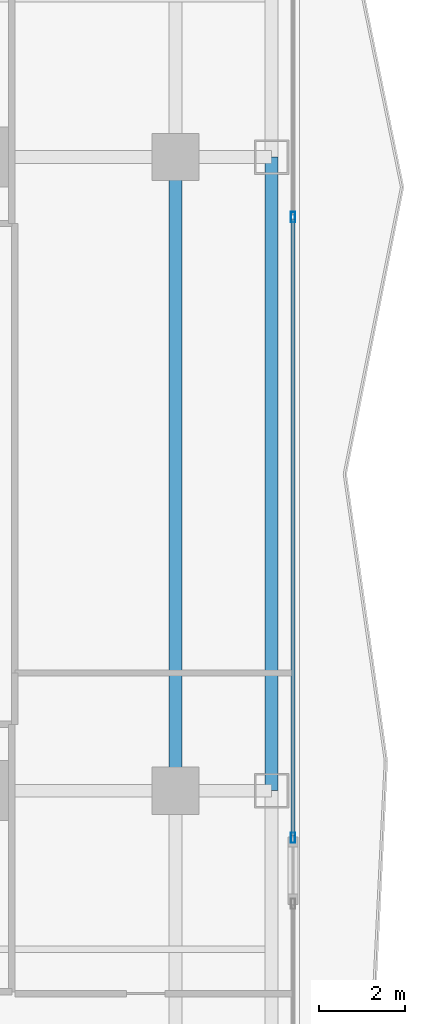
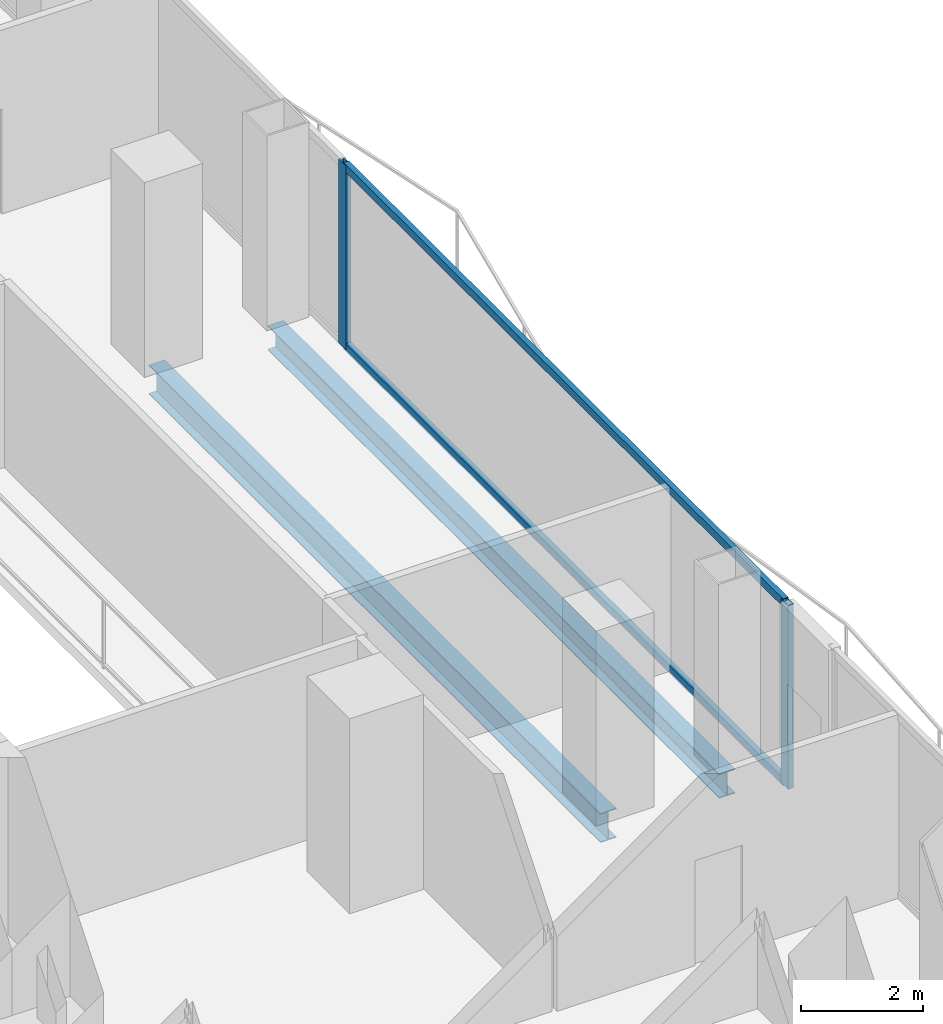
# One storey, part 12 of 33: 4 members, 2 beams, 1 element without a shape of its own.
"""IFC4 building model written with IfcOpenShell, lengths in metres."""

from ifc_helpers import new_model, si_unit, direction, frame, origin, origin_2d, place, context, subcontext, project, spatial, hollow_rectangle, i_section, extrude, material, layer, layer_set, material_profile, profile_set, type_object, element, aggregate, save


model = new_model("IFC4")

# Units and contexts
model_context = context("Model", 3, precision=1e-05, world=origin(), true_north=direction((0.0, 1.0)))
body_context = subcontext(model_context, "Body", "Model", "MODEL_VIEW")
ifc_project = project(units=[si_unit("LENGTHUNIT", "METRE"), si_unit("AREAUNIT", "SQUARE_METRE"), si_unit("VOLUMEUNIT", "CUBIC_METRE"), si_unit("PLANEANGLEUNIT", "RADIAN"), si_unit("MASSUNIT", "GRAM", prefix="KILO")], contexts=[model_context])

# Site, building, storey
site_placement = place(None, origin())
site = spatial("IfcSite", under=ifc_project, at=site_placement, CompositionType="ELEMENT")
building_placement = place(site_placement, origin())
building = spatial("IfcBuilding", under=site, at=building_placement, Name="Khorvyn Point Tower", CompositionType="ELEMENT")
storey_placement = place(building_placement, frame((0.0, 0.0, 65.699951171875)))
storey = spatial("IfcBuildingStorey", under=building, at=storey_placement, Name="L17", CompositionType="ELEMENT", Elevation=65.699951171875)

# Curtain wall, members
ifc_material_1 = material(Name="Anodised aluminium 6063-T6 and laminated Low-E glass", Category="aluminium")
ifc_layer = layer(ifc_material_1, 0.18994140625)
ifc_layer_set = layer_set([ifc_layer], Name="Stick-Built Finned Residential Curtain Wall CW-SYS-02")
curtain_wall_type = type_object("IfcCurtainWallType", Name="Stick-Built Finned Residential Curtain Wall CW-SYS-02", PredefinedType="NOTDEFINED", material=ifc_layer_set)
curtain_wall_placement = place(storey_placement, origin())
curtain_wall = element("IfcCurtainWall", 1, at=curtain_wall_placement, inside=storey, type_object=curtain_wall_type, Name="Curtain Wall", PredefinedType="NOTDEFINED")
ifc_material_2 = material(Name="Anodised aluminium 6063-T6", Category="aluminium")
ifc_material_profile_1 = material_profile(ifc_material_2, hollow_rectangle(XDim=0.10009765625, YDim=0.239990234375, WallThickness=0.0048828125, at=origin_2d()))
ifc_profile_set_1 = profile_set([ifc_material_profile_1], Name="Anodised aluminium 6063-T6 ALU-MUL-100x240")
member_type_1 = type_object("IfcMemberType", Name="Anodised Aluminium 6063-T6 Mullion ALU-MUL-100x240", PredefinedType="MULLION", material=ifc_profile_set_1)
member_1_placement = place(storey_placement, frame((22.14990234375, 6.0009765625, 0.0), z_axis=(0.0, 0.0, 1.0), x_axis=(1.0, 0.0, 0.0)))
member_1 = element("IfcMember", 2, at=member_1_placement, type_object=member_type_1, Name="Transom", PredefinedType="MULLION", context=body_context, shape_type="SweptSolid", body=[
    extrude(hollow_rectangle(XDim=0.10009765625, YDim=0.239990234375, WallThickness=0.0048828125, at=origin_2d()), origin(), (0.0, 0.0, 1.0), 3.679931640625),
])
member_2_placement = place(storey_placement, frame((22.14990234375, -8.498046875, 0.0), z_axis=(0.0, 0.0, 1.0), x_axis=(1.0, 0.0, 0.0)))
member_2 = element("IfcMember", 3, at=member_2_placement, type_object=member_type_1, Name="Transom", PredefinedType="MULLION", context=body_context, shape_type="SweptSolid", body=[
    extrude(hollow_rectangle(XDim=0.10009765625, YDim=0.239990234375, WallThickness=0.0048828125, at=origin_2d()), origin(), (0.0, 0.0, 1.0), 3.679931640625),
])
ifc_material_profile_2 = material_profile(ifc_material_2, hollow_rectangle(XDim=0.10009765625, YDim=0.159912109375, WallThickness=0.00439453125, at=origin_2d()))
ifc_profile_set_2 = profile_set([ifc_material_profile_2], Name="Anodised aluminium 6063-T6 ALU-TRN-100x160")
member_type_2 = type_object("IfcMemberType", Name="Anodised Aluminium 6063-T6 Transom ALU-TRN-100x160", PredefinedType="USERDEFINED", material=ifc_profile_set_2)
member_3_placement = place(storey_placement, frame((22.14990234375, 5.950927734375, 0.050048828125), z_axis=(0.0, -1.0, 0.0), x_axis=(1.0, 0.0, 0.0)))
member_3 = element("IfcMember", 4, at=member_3_placement, type_object=member_type_2, Name="Transom", ObjectType="TRANSOM", PredefinedType="USERDEFINED", context=body_context, shape_type="SweptSolid", body=[
    extrude(hollow_rectangle(XDim=0.10009765625, YDim=0.159912109375, WallThickness=0.00439453125, at=origin_2d()), origin(), (0.0, 0.0, 1.0), 14.39892578125),
])
member_4_placement = place(storey_placement, frame((22.14990234375, 5.950927734375, 3.630126953125), z_axis=(0.0, -1.0, 0.0), x_axis=(1.0, 0.0, 0.0)))
member_4 = element("IfcMember", 5, at=member_4_placement, type_object=member_type_2, Name="Transom", ObjectType="TRANSOM", PredefinedType="USERDEFINED", context=body_context, shape_type="SweptSolid", body=[
    extrude(hollow_rectangle(XDim=0.10009765625, YDim=0.159912109375, WallThickness=0.00439453125, at=origin_2d()), origin(), (0.0, 0.0, 1.0), 14.39892578125),
])
aggregate(curtain_wall, [member_1, member_2, member_3, member_4])

# Beams
ifc_material_3 = material(Name="Steel S355", Category="steel")
ifc_material_profile_3 = material_profile(ifc_material_3, i_section(OverallWidth=0.300048828125, OverallDepth=0.587890625, WebThickness=0.011962890625, FlangeThickness=0.02001953125, at=origin_2d()))
ifc_profile_set_3 = profile_set([ifc_material_profile_3], Name="Steel S355 H588x300x12x20")
beam_type_1 = type_object("IfcBeamType", Name="Steel S355 Beam H588x300x12x20", PredefinedType="BEAM", material=ifc_profile_set_3)
beam_1_placement = place(storey_placement, frame((19.39990234375, -7.39990234375, -0.513916015625), z_axis=(0.0, 1.0, 0.0), x_axis=(-1.0, 0.0, 0.0)))
element("IfcBeam", 6, at=beam_1_placement, inside=storey, type_object=beam_type_1, Name="Beam", PredefinedType="BEAM", context=body_context, shape_type="SweptSolid", body=[
    extrude(i_section(OverallWidth=0.300048828125, OverallDepth=0.587890625, WebThickness=0.011962890625, FlangeThickness=0.02001953125, at=origin_2d()), origin(), (0.0, 0.0, 1.0), 14.7998046875),
])
ifc_material_profile_4 = material_profile(ifc_material_3, i_section(OverallWidth=0.300048828125, OverallDepth=0.488037109375, WebThickness=0.010986328125, FlangeThickness=0.01806640625, at=origin_2d()))
ifc_profile_set_4 = profile_set([ifc_material_profile_4], Name="Steel S355 H488x300x11x18")
beam_type_2 = type_object("IfcBeamType", Name="Steel S355 Spandrel H488x300x11x18", PredefinedType="SPANDREL", material=ifc_profile_set_4)
beam_2_placement = place(storey_placement, frame((21.64990234375, -7.39990234375, -0.4638671875), z_axis=(0.0, 1.0, 0.0), x_axis=(-1.0, 0.0, 0.0)))
element("IfcBeam", 7, at=beam_2_placement, inside=storey, type_object=beam_type_2, Name="Beam", PredefinedType="SPANDREL", context=body_context, shape_type="SweptSolid", body=[
    extrude(i_section(OverallWidth=0.300048828125, OverallDepth=0.488037109375, WebThickness=0.010986328125, FlangeThickness=0.01806640625, at=origin_2d()), origin(), (0.0, 0.0, 1.0), 14.7998046875),
])

save(model, "model.ifc")
